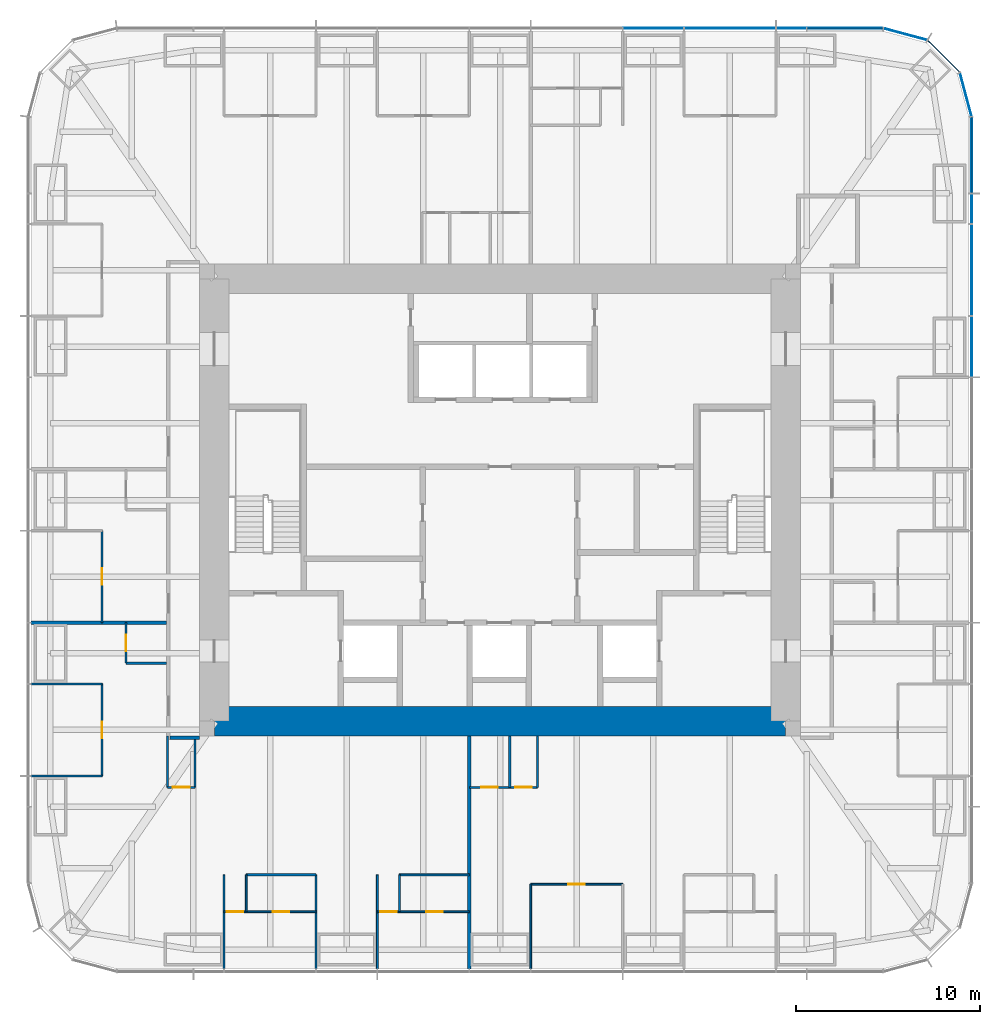
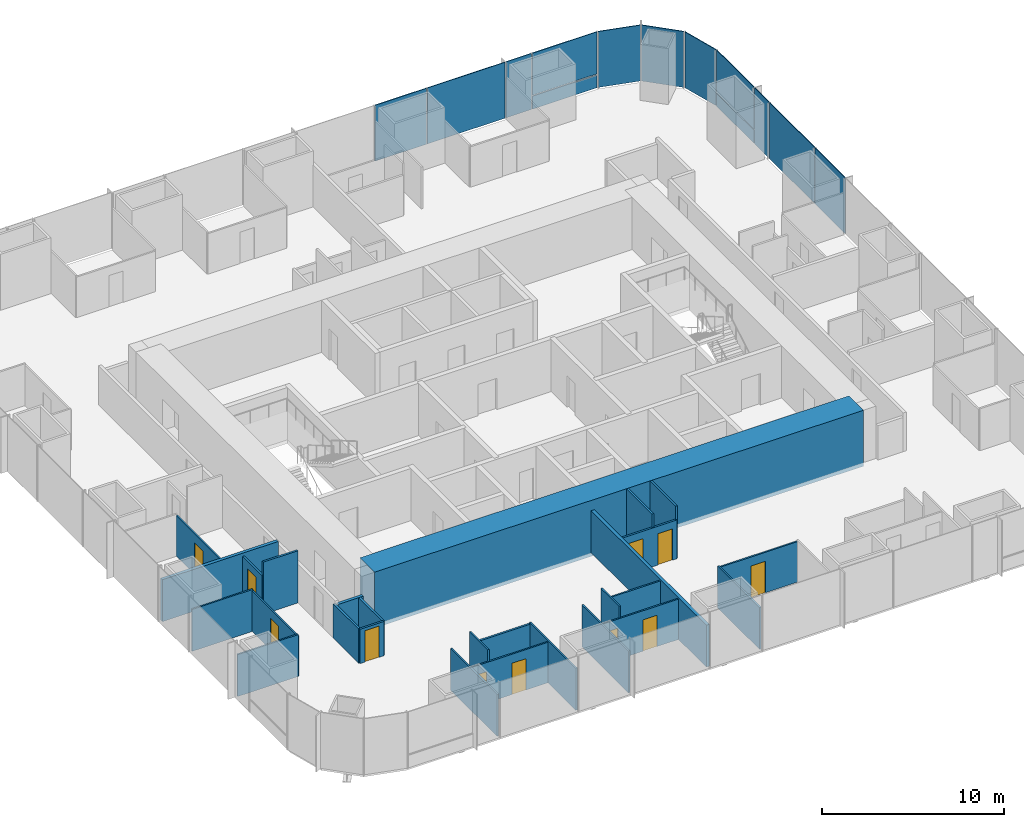
# One storey, part 8 of 13: 27 walls, 13 plates, 11 doors, 11 openings, 3 elements without a shape of their own.
"""IFC4 building model written with IfcOpenShell, lengths in metres."""

from ifc_helpers import new_model, si_unit, direction, frame, frame_2d, origin, origin_2d, place, context, subcontext, project, spatial, rectangle, extrude, material, layer, layer_set, type_object, element, fill, aggregate, save


model = new_model("IFC4")

# Units and contexts
model_context = context("Model", 3, precision=1e-05, world=origin(), true_north=direction((0.0, 1.0)))
body_context = subcontext(model_context, "Body", "Model", "MODEL_VIEW")
ifc_project = project(units=[si_unit("LENGTHUNIT", "METRE"), si_unit("AREAUNIT", "SQUARE_METRE"), si_unit("VOLUMEUNIT", "CUBIC_METRE"), si_unit("PLANEANGLEUNIT", "RADIAN"), si_unit("MASSUNIT", "GRAM", prefix="KILO")], contexts=[model_context])

# Site, building, storey
site_placement = place(None, origin())
site = spatial("IfcSite", under=ifc_project, at=site_placement, CompositionType="ELEMENT")
building_placement = place(site_placement, origin())
building = spatial("IfcBuilding", under=site, at=building_placement, Name="Khuree Lantern Residences", CompositionType="ELEMENT")
storey_placement = place(building_placement, frame((0.0, 0.0, 270.75)))
storey = spatial("IfcBuildingStorey", under=building, at=storey_placement, Name="L68", CompositionType="ELEMENT", Elevation=270.75)

# Curtain wall, plates
ifc_material_1 = material(Name="Bronze anodised aluminium", Category="aluminium")
curtain_wall_type_1 = type_object("IfcCurtainWallType", Name="CW-T2 TOWER CORNER CURTAIN WALL", PredefinedType="USERDEFINED", material=ifc_material_1)
curtain_wall_1_placement = place(storey_placement, origin())
curtain_wall_1 = element("IfcCurtainWall", 1, at=curtain_wall_1_placement, inside=storey, type_object=curtain_wall_type_1, Name="L68 NORTH-EAST CORNER CURTAIN WALL", ObjectType="Faceted corner curtain wall", PredefinedType="USERDEFINED")
ifc_material_2 = material(Name="Bronze tinted triple glazing", Category="glass")
ifc_layer_1 = layer(ifc_material_2, 0.048095703125)
ifc_layer_set_1 = layer_set([ifc_layer_1], Name="FACET PANEL P4")
plate_type_1 = type_object("IfcPlateType", Name="FACET PANEL P4", PredefinedType="CURTAIN_PANEL", material=ifc_layer_set_1)
plate_1_placement = place(storey_placement, frame((25.279052734375, 21.998046875, 0.0), z_axis=(0.0, 0.0, 1.0), x_axis=(-0.258819021888, 0.965925832509, 0.0)))
plate_1 = element("IfcPlate", 2, at=plate_1_placement, type_object=plate_type_1, Name="L68 NORTH-EAST CORNER PANEL 15.1", PredefinedType="CURTAIN_PANEL", context=body_context, shape_type="SweptSolid", body=[
    extrude(rectangle(XDim=2.40869140625, YDim=0.048095703125, at=origin_2d()), origin(), (0.0, 0.0, 1.0), 3.75),
])
plate_2_placement = place(storey_placement, frame((24.078369140625, 24.078369140625, 0.0), z_axis=(0.0, 0.0, 1.0), x_axis=(-0.707106781187, 0.707106781187, 0.0)))
plate_2 = element("IfcPlate", 3, at=plate_2_placement, type_object=plate_type_1, Name="L68 NORTH-EAST CORNER PANEL 16.1", PredefinedType="CURTAIN_PANEL", context=body_context, shape_type="SweptSolid", body=[
    extrude(rectangle(XDim=2.404541015625, YDim=0.048095703125, at=origin_2d()), origin(), (0.0, 0.0, 1.0), 3.75),
])
plate_3_placement = place(storey_placement, frame((21.998046875, 25.279052734375, 0.0), z_axis=(0.0, 0.0, 1.0), x_axis=(-0.965925832509, 0.258819021888, 0.0)))
plate_3 = element("IfcPlate", 4, at=plate_3_placement, type_object=plate_type_1, Name="L68 NORTH-EAST CORNER PANEL 17.1", PredefinedType="CURTAIN_PANEL", context=body_context, shape_type="SweptSolid", body=[
    extrude(rectangle(XDim=2.40869140625, YDim=0.048095703125, at=origin_2d()), origin(), (0.0, 0.0, 1.0), 3.75),
])
aggregate(curtain_wall_1, [plate_1, plate_2, plate_3])

# Curtain wall, plate
curtain_wall_type_2 = type_object("IfcCurtainWallType", Name="CW-T1 TOWER FACE CURTAIN WALL", PredefinedType="USERDEFINED", material=ifc_material_1)
curtain_wall_2_placement = place(storey_placement, origin())
curtain_wall_2 = element("IfcCurtainWall", 5, at=curtain_wall_2_placement, inside=storey, type_object=curtain_wall_type_2, Name="L68 EAST FACE CURTAIN WALL", ObjectType="Stick-built curtain wall", PredefinedType="USERDEFINED")
ifc_material_3 = material(Name="Bronze tinted triple glazing with a ceramic-fritted spandrel band", Category="glass")
ifc_layer_2 = layer(ifc_material_3, 0.048095703125)
ifc_layer_set_2 = layer_set([ifc_layer_2], Name="FIXED LIGHT PANEL P11")
plate_type_2 = type_object("IfcPlateType", Name="FIXED LIGHT PANEL P11", PredefinedType="CURTAIN_PANEL", material=ifc_layer_set_2)
plate_4_placement = place(storey_placement, frame((25.60009765625, 12.47998046875, 0.0), z_axis=(0.0, 0.0, 1.0), x_axis=(0.0, 1.0, 0.0)))
plate_4 = element("IfcPlate", 6, at=plate_4_placement, type_object=plate_type_2, Name="L68 EAST FACE PANEL 12.1", PredefinedType="CURTAIN_PANEL", context=body_context, shape_type="SweptSolid", body=[
    extrude(rectangle(XDim=4.927001953125, YDim=0.048095703125, at=origin_2d()), origin(), (0.0, 0.0, 1.0), 3.75),
])

curtain_wall_3_placement = place(storey_placement, origin())
curtain_wall_3 = element("IfcCurtainWall", 7, at=curtain_wall_3_placement, inside=storey, type_object=curtain_wall_type_2, Name="L68 NORTH FACE CURTAIN WALL", ObjectType="Stick-built curtain wall", PredefinedType="USERDEFINED")
plate_5_placement = place(storey_placement, frame((12.47998046875, 25.60009765625, 0.0), z_axis=(0.0, 0.0, 1.0), x_axis=(-1.0, 0.0, 0.0)))
plate_5 = element("IfcPlate", 8, at=plate_5_placement, type_object=plate_type_2, Name="L68 NORTH FACE PANEL 20.1", PredefinedType="CURTAIN_PANEL", context=body_context, shape_type="SweptSolid", body=[
    extrude(rectangle(XDim=4.927001953125, YDim=0.048095703125, at=origin_2d()), origin(), (0.0, 0.0, 1.0), 3.75),
])

# Plate
ifc_material_4 = material(Name="Bronze tinted triple glazing, two aluminium-framed sashes in one frame", Category="aluminium")
ifc_layer_3 = layer(ifc_material_4, 0.048095703125)
ifc_layer_set_3 = layer_set([ifc_layer_3], Name="SASH PAIR PANEL P12")
plate_type_3 = type_object("IfcPlateType", Name="SASH PAIR PANEL P12", PredefinedType="CURTAIN_PANEL", material=ifc_layer_set_3)
plate_6_placement = place(storey_placement, frame((25.60009765625, 8.320068359375, 0.0), z_axis=(0.0, 0.0, 1.0), x_axis=(0.0, 1.0, 0.0)))
plate_6 = element("IfcPlate", 9, at=plate_6_placement, type_object=plate_type_3, Name="L68 EAST FACE PANEL 11.1", PredefinedType="CURTAIN_PANEL", context=body_context, shape_type="SweptSolid", body=[
    extrude(rectangle(XDim=3.262939453125, YDim=0.048095703125, at=origin_2d()), origin(), (0.0, 0.0, 1.0), 3.75),
])

plate_7_placement = place(storey_placement, frame((8.320068359375, 25.60009765625, 0.0), z_axis=(0.0, 0.0, 1.0), x_axis=(-1.0, 0.0, 0.0)))
plate_7 = element("IfcPlate", 10, at=plate_7_placement, type_object=plate_type_3, Name="L68 NORTH FACE PANEL 21.1", PredefinedType="CURTAIN_PANEL", context=body_context, shape_type="SweptSolid", body=[
    extrude(rectangle(XDim=3.262939453125, YDim=0.048095703125, at=origin_2d()), origin(), (0.0, 0.0, 1.0), 3.75),
])

ifc_material_5 = material(Name="Bronze tinted triple glazing, aluminium-framed sash", Category="aluminium")
ifc_layer_4 = layer(ifc_material_5, 0.048095703125)
ifc_layer_set_4 = layer_set([ifc_layer_4], Name="SASH PANEL P3")
plate_type_4 = type_object("IfcPlateType", Name="SASH PANEL P3", PredefinedType="CURTAIN_PANEL", material=ifc_layer_set_4)
plate_8_placement = place(storey_placement, frame((25.60009765625, 15.80810546875, 0.0), z_axis=(0.0, 0.0, 1.0), x_axis=(0.0, 1.0, 0.0)))
plate_8 = element("IfcPlate", 11, at=plate_8_placement, type_object=plate_type_4, Name="L68 EAST FACE PANEL 13.1", PredefinedType="CURTAIN_PANEL", context=body_context, shape_type="SweptSolid", body=[
    extrude(rectangle(XDim=1.59912109375, YDim=0.048095703125, at=origin_2d()), origin(), (0.0, 0.0, 1.0), 3.75),
])

plate_9_placement = place(storey_placement, frame((15.80810546875, 25.60009765625, 0.0), z_axis=(0.0, 0.0, 1.0), x_axis=(-1.0, 0.0, 0.0)))
plate_9 = element("IfcPlate", 12, at=plate_9_placement, type_object=plate_type_4, Name="L68 NORTH FACE PANEL 19.1", PredefinedType="CURTAIN_PANEL", context=body_context, shape_type="SweptSolid", body=[
    extrude(rectangle(XDim=1.59912109375, YDim=0.048095703125, at=origin_2d()), origin(), (0.0, 0.0, 1.0), 3.75),
])

ifc_material_6 = material(Name="Bronze anodised aluminium insulated spandrel", Category="aluminium")
ifc_layer_5 = layer(ifc_material_6, 0.06005859375)
ifc_layer_set_5 = layer_set([ifc_layer_5], Name="SPANDREL PANEL P2")
plate_type_5 = type_object("IfcPlateType", Name="SPANDREL PANEL P2", PredefinedType="CURTAIN_PANEL", material=ifc_layer_set_5)
plate_10_placement = place(storey_placement, frame((25.60009765625, 18.7177734375, 0.0), z_axis=(0.0, 0.0, 1.0), x_axis=(0.0, 1.0, 0.0)))
plate_10 = element("IfcPlate", 13, at=plate_10_placement, type_object=plate_type_5, Name="L68 EAST FACE PANEL 14.1", PredefinedType="CURTAIN_PANEL", context=body_context, shape_type="SweptSolid", body=[
    extrude(rectangle(XDim=4.0908203125, YDim=0.06005859375, at=origin_2d()), origin(), (0.0, 0.0, 1.0), 0.867431640625),
])

plate_11_placement = place(storey_placement, frame((18.7177734375, 25.60009765625, 0.0), z_axis=(0.0, 0.0, 1.0), x_axis=(-1.0, 0.0, 0.0)))
plate_11 = element("IfcPlate", 14, at=plate_11_placement, type_object=plate_type_5, Name="L68 NORTH FACE PANEL 18.1", PredefinedType="CURTAIN_PANEL", context=body_context, shape_type="SweptSolid", body=[
    extrude(rectangle(XDim=4.0908203125, YDim=0.06005859375, at=origin_2d()), origin(), (0.0, 0.0, 1.0), 0.867431640625),
])

ifc_layer_6 = layer(ifc_material_2, 0.048095703125)
ifc_layer_set_6 = layer_set([ifc_layer_6], Name="VISION PANEL P1")
plate_type_6 = type_object("IfcPlateType", Name="VISION PANEL P1", PredefinedType="CURTAIN_PANEL", material=ifc_layer_set_6)
plate_12_placement = place(storey_placement, frame((25.60009765625, 18.71826171875, 0.9326171875), z_axis=(0.0, 0.0, 1.0), x_axis=(0.0, 1.0, 0.0)))
plate_12 = element("IfcPlate", 15, at=plate_12_placement, type_object=plate_type_6, Name="L68 EAST FACE PANEL 14.2", PredefinedType="CURTAIN_PANEL", context=body_context, shape_type="SweptSolid", body=[
    extrude(rectangle(XDim=4.091552734375, YDim=0.048095703125, at=origin_2d()), origin(), (0.0, 0.0, 1.0), 2.8173828125),
])

aggregate(curtain_wall_2, [plate_6, plate_4, plate_8, plate_10, plate_12])

plate_13_placement = place(storey_placement, frame((18.71826171875, 25.60009765625, 0.9326171875), z_axis=(0.0, 0.0, 1.0), x_axis=(-1.0, 0.0, 0.0)))
plate_13 = element("IfcPlate", 16, at=plate_13_placement, type_object=plate_type_6, Name="L68 NORTH FACE PANEL 18.2", PredefinedType="CURTAIN_PANEL", context=body_context, shape_type="SweptSolid", body=[
    extrude(rectangle(XDim=4.091552734375, YDim=0.048095703125, at=origin_2d()), origin(), (0.0, 0.0, 1.0), 2.8173828125),
])

aggregate(curtain_wall_3, [plate_11, plate_13, plate_9, plate_5, plate_7])

# Wall
ifc_material_7 = material(Name="Moisture-resistant gypsum board on steel studs", Category="steel")
ifc_layer_7 = layer(ifc_material_7, 0.125)
ifc_layer_set_7 = layer_set([ifc_layer_7], Name="BATHROOM WALL BTW125")
wall_type_1 = type_object("IfcWallType", Name="BATHROOM WALL BTW125", PredefinedType="PARTITIONING", material=ifc_layer_set_7)
wall_1_placement = place(storey_placement, frame((-13.77587890625, -20.344970703125, 0.0), z_axis=(0.0, 0.0, 1.0), x_axis=(1.0, 0.0, 0.0)))
element("IfcWall", 17, at=wall_1_placement, inside=storey, type_object=wall_type_1, Name="L68 BATHROOM WALL 05", PredefinedType="PARTITIONING", context=body_context, shape_type="SweptSolid", body=[
    extrude(rectangle(XDim=3.7919921875, YDim=0.125, at=frame_2d((1.89599609375, 0.0))), origin(), (0.0, 0.0, 1.0), 2.7099609375),
])

# Wall, opening, door
wall_2_placement = place(storey_placement, frame((-20.300048828125, -6.656005859375, 0.0), z_axis=(0.0, 0.0, 1.0), x_axis=(0.0, -1.0, 0.0)))
wall_2 = element("IfcWall", 18, at=wall_2_placement, inside=storey, type_object=wall_type_1, Name="L68 BATHROOM WALL 05", PredefinedType="PARTITIONING", context=body_context, shape_type="SweptSolid", body=[
    extrude(rectangle(XDim=2.199951171875, YDim=0.125, at=frame_2d((1.10009765625, 0.0))), origin(), (0.0, 0.0, 1.0), 2.60009765625),
])
opening_1_placement = place(wall_2_placement, frame((0.64990234375, 0.0, 0.0)))
opening_1 = element("IfcOpeningElement", 19, at=opening_1_placement, cuts=wall_2, Name="Opening 68-048", PredefinedType="OPENING", context=body_context, shape_type="SweptSolid", body=[
    extrude(rectangle(XDim=0.89990234375, YDim=2.10009765625, at=frame_2d((0.449951171875, 1.050048828125))), frame((0.0, 0.072509765625, 0.0), z_axis=(0.0, -1.0, 0.0), x_axis=(1.0, 0.0, 0.0)), (0.0, 0.0, 1.0), 0.14501953125),
])
ifc_material_8 = material(Name="Timber door leaf in hardwood frame", Category="wood")
door_type_1 = type_object("IfcDoorType", Name="BATHROOM DOOR 900X2100", OperationType="SINGLE_SWING_LEFT", PredefinedType="DOOR", material=ifc_material_8)
door_1_placement = place(opening_1_placement, origin())
door_1 = element("IfcDoor", 20, at=door_1_placement, inside=storey, type_object=door_type_1, Name="Bathroom door 68-048", OperationType="SINGLE_SWING_LEFT", OverallHeight=2.10009765625, OverallWidth=0.89990234375, PredefinedType="DOOR", context=body_context, shape_type="SweptSolid", body=[
    extrude(rectangle(XDim=0.89990234375, YDim=2.10009765625, at=frame_2d((0.449951171875, 1.050048828125))), frame((0.0, 0.02490234375, 0.0), z_axis=(0.0, -1.0, 0.0), x_axis=(1.0, 0.0, 0.0)), (0.0, 0.0, 1.0), 0.050048828125),
])
fill(opening_1, door_1)

# Wall
wall_3_placement = place(storey_placement, frame((-18.10009765625, -8.85595703125, 0.0), z_axis=(0.0, 0.0, 1.0), x_axis=(-1.0, 0.0, 0.0)))
element("IfcWall", 21, at=wall_3_placement, inside=storey, type_object=wall_type_1, Name="L68 BATHROOM WALL 05", PredefinedType="PARTITIONING", context=body_context, shape_type="SweptSolid", body=[
    extrude(rectangle(XDim=2.199951171875, YDim=0.125, at=frame_2d((1.10009765625, 0.0))), origin(), (0.0, 0.0, 1.0), 3.5),
])

# Wall, opening, door
wall_4_placement = place(storey_placement, frame((-18.050048828125, -15.60009765625, 0.0), z_axis=(0.0, 0.0, 1.0), x_axis=(1.0, 0.0, 0.0)))
wall_4 = element("IfcWall", 22, at=wall_4_placement, inside=storey, type_object=wall_type_1, Name="L68 BATHROOM WALL 05", PredefinedType="PARTITIONING", context=body_context, shape_type="SweptSolid", body=[
    extrude(rectangle(XDim=1.5, YDim=0.125, at=frame_2d((0.75, 0.0))), origin(), (0.0, 0.0, 1.0), 2.300048828125),
])
opening_2_placement = place(wall_4_placement, frame((0.300048828125, 0.0, 0.0)))
opening_2 = element("IfcOpeningElement", 23, at=opening_2_placement, cuts=wall_4, Name="Opening 68-049", PredefinedType="OPENING", context=body_context, shape_type="SweptSolid", body=[
    extrude(rectangle(XDim=0.89990234375, YDim=2.10009765625, at=frame_2d((0.449951171875, 1.050048828125))), frame((0.0, 0.072509765625, 0.0), z_axis=(0.0, -1.0, 0.0), x_axis=(1.0, 0.0, 0.0)), (0.0, 0.0, 1.0), 0.14501953125),
])
door_type_2 = type_object("IfcDoorType", Name="WC DOOR 900X2100", OperationType="SINGLE_SWING_LEFT", PredefinedType="DOOR", material=ifc_material_8)
door_2_placement = place(opening_2_placement, origin())
door_2 = element("IfcDoor", 24, at=door_2_placement, inside=storey, type_object=door_type_2, Name="WC door 68-049", OperationType="SINGLE_SWING_LEFT", OverallHeight=2.10009765625, OverallWidth=0.89990234375, PredefinedType="DOOR", context=body_context, shape_type="SweptSolid", body=[
    extrude(rectangle(XDim=0.89990234375, YDim=2.10009765625, at=frame_2d((0.449951171875, 1.050048828125))), frame((0.0, 0.02490234375, 0.0), z_axis=(0.0, -1.0, 0.0), x_axis=(1.0, 0.0, 0.0)), (0.0, 0.0, 1.0), 0.050048828125),
])
fill(opening_2, door_2)

# Walls
for number, where, z_axis, x_axis, name in (
    (25, (-18.050048828125, -12.800048828125, 0.0), (0.0, 0.0, 1.0), (0.0, -1.0, 0.0), "L68 BATHROOM WALL 05"),
    (26, (-16.550048828125, -12.800048828125, 0.0), (0.0, 0.0, 1.0), (0.0, -1.0, 0.0), "L68 BATHROOM WALL 05"),
):
    element("IfcWall", number, at=place(storey_placement, frame(where, z_axis=z_axis, x_axis=x_axis)), inside=storey, type_object=wall_type_1, Name=name, PredefinedType="PARTITIONING", context=body_context, shape_type="SweptSolid", body=[
        extrude(rectangle(XDim=2.800048828125, YDim=0.125, at=frame_2d((1.39990234375, 0.0))), origin(), (0.0, 0.0, 1.0), 2.300048828125),
    ])

# Wall, openings, doors
wall_5_placement = place(storey_placement, frame((-1.6640625, -15.60009765625, 0.0), z_axis=(0.0, 0.0, 1.0), x_axis=(1.0, 0.0, 0.0)))
wall_5 = element("IfcWall", 27, at=wall_5_placement, inside=storey, type_object=wall_type_1, Name="L68 BATHROOM WALL 06", PredefinedType="PARTITIONING", context=body_context, shape_type="SweptSolid", body=[
    extrude(rectangle(XDim=3.699951171875, YDim=0.125, at=frame_2d((1.85009765625, 0.0))), origin(), (0.0, 0.0, 1.0), 2.60009765625),
])
opening_3_placement = place(wall_5_placement, frame((0.64990234375, 0.0, 0.0)))
opening_3 = element("IfcOpeningElement", 28, at=opening_3_placement, cuts=wall_5, Name="Opening 68-055", PredefinedType="OPENING", context=body_context, shape_type="SweptSolid", body=[
    extrude(rectangle(XDim=0.89990234375, YDim=2.10009765625, at=frame_2d((0.449951171875, 1.050048828125))), frame((0.0, 0.072509765625, 0.0), z_axis=(0.0, -1.0, 0.0), x_axis=(1.0, 0.0, 0.0)), (0.0, 0.0, 1.0), 0.14501953125),
])
opening_4_placement = place(wall_5_placement, frame((2.5, 0.0, 0.0)))
opening_4 = element("IfcOpeningElement", 29, at=opening_4_placement, cuts=wall_5, Name="Opening 68-056", PredefinedType="OPENING", context=body_context, shape_type="SweptSolid", body=[
    extrude(rectangle(XDim=0.89990234375, YDim=2.10009765625, at=frame_2d((0.449951171875, 1.050048828125))), frame((0.0, 0.072509765625, 0.0), z_axis=(0.0, -1.0, 0.0), x_axis=(1.0, 0.0, 0.0)), (0.0, 0.0, 1.0), 0.14501953125),
])
door_3_placement = place(opening_3_placement, origin())
door_3 = element("IfcDoor", 30, at=door_3_placement, inside=storey, type_object=door_type_1, Name="Bathroom door 68-055", OperationType="SINGLE_SWING_LEFT", OverallHeight=2.10009765625, OverallWidth=0.89990234375, PredefinedType="DOOR", context=body_context, shape_type="SweptSolid", body=[
    extrude(rectangle(XDim=0.89990234375, YDim=2.10009765625, at=frame_2d((0.449951171875, 1.050048828125))), frame((0.0, 0.02490234375, 0.0), z_axis=(0.0, -1.0, 0.0), x_axis=(1.0, 0.0, 0.0)), (0.0, 0.0, 1.0), 0.050048828125),
])
fill(opening_3, door_3)
door_4_placement = place(opening_4_placement, origin())
door_4 = element("IfcDoor", 31, at=door_4_placement, inside=storey, type_object=door_type_2, Name="WC door 68-056", OperationType="SINGLE_SWING_LEFT", OverallHeight=2.10009765625, OverallWidth=0.89990234375, PredefinedType="DOOR", context=body_context, shape_type="SweptSolid", body=[
    extrude(rectangle(XDim=0.89990234375, YDim=2.10009765625, at=frame_2d((0.449951171875, 1.050048828125))), frame((0.0, 0.02490234375, 0.0), z_axis=(0.0, -1.0, 0.0), x_axis=(1.0, 0.0, 0.0)), (0.0, 0.0, 1.0), 0.050048828125),
])
fill(opening_4, door_4)

# Walls
for number, where, z_axis, x_axis, name in (
    (32, (0.535888671875, -12.800048828125, 0.0), (0.0, 0.0, 1.0), (0.0, -1.0, 0.0), "L68 BATHROOM WALL 06"),
    (33, (2.035888671875, -12.800048828125, 0.0), (0.0, 0.0, 1.0), (0.0, -1.0, 0.0), "L68 BATHROOM WALL 06"),
):
    element("IfcWall", number, at=place(storey_placement, frame(where, z_axis=z_axis, x_axis=x_axis)), inside=storey, type_object=wall_type_1, Name=name, PredefinedType="PARTITIONING", context=body_context, shape_type="SweptSolid", body=[
        extrude(rectangle(XDim=2.800048828125, YDim=0.125, at=frame_2d((1.39990234375, 0.0))), origin(), (0.0, 0.0, 1.0), 3.5),
    ])
ifc_material_9 = material(Name="Gypsum board on steel studs", Category="steel")
ifc_layer_8 = layer(ifc_material_9, 0.199951171875)
ifc_layer_set_8 = layer_set([ifc_layer_8], Name="CORRIDOR WALL CRW200 EI 60")
wall_type_2 = type_object("IfcWallType", Name="CORRIDOR WALL CRW200 EI 60", PredefinedType="PARTITIONING", material=ifc_layer_set_8)
wall_6_placement = place(storey_placement, frame((-16.300048828125, -12.89990234375, 0.0), z_axis=(0.0, 0.0, 1.0), x_axis=(-1.0, 0.0, 0.0)))
element("IfcWall", 34, at=wall_6_placement, inside=storey, type_object=wall_type_2, Name="L68 WEST CORRIDOR SOUTH END WALL", PredefinedType="PARTITIONING", context=body_context, shape_type="SweptSolid", body=[
    extrude(rectangle(XDim=1.599853515625, YDim=0.199951171875, at=frame_2d((0.7998046875, 0.0))), origin(), (0.0, 0.0, 1.0), 2.300048828125),
])
ifc_material_10 = material(Name="Concrete C50/60", Category="concrete")
ifc_layer_9 = layer(ifc_material_10, 1.60009765625)
ifc_layer_set_9 = layer_set([ifc_layer_9], Name="CW1600-C50 CORE WALL C50 1600")
wall_type_3 = type_object("IfcWallType", Name="CW1600-C50 CORE WALL C50 1600", PredefinedType="SHEAR", material=ifc_layer_set_9)
wall_7_placement = place(storey_placement, frame((-15.5, -12.0, -0.25), z_axis=(0.0, 0.0, 1.0), x_axis=(1.0, 0.0, 0.0)))
element("IfcWall", 35, at=wall_7_placement, inside=storey, type_object=wall_type_3, Name="Core wall S", PredefinedType="SHEAR", context=body_context, shape_type="SweptSolid", body=[
    extrude(rectangle(XDim=31.0, YDim=1.60009765625, at=frame_2d((15.5, 0.0))), origin(), (0.0, 0.0, 1.0), 3.75),
])
ifc_layer_10 = layer(ifc_material_9, 0.199951171875)
ifc_layer_set_10 = layer_set([ifc_layer_10], Name="DEMISING WALL DMW200 EI 90")
wall_type_4 = type_object("IfcWallType", Name="DEMISING WALL DMW200 EI 90", PredefinedType="PARTITIONING", material=ifc_layer_set_10)
wall_8_placement = place(storey_placement, frame((-18.10009765625, -6.656005859375, 0.0), z_axis=(0.0, 0.0, 1.0), x_axis=(-1.0, 0.0, 0.0)))
element("IfcWall", 36, at=wall_8_placement, inside=storey, type_object=wall_type_4, Name="L68 DEMISING WALL 05", PredefinedType="PARTITIONING", context=body_context, shape_type="SweptSolid", body=[
    extrude(rectangle(XDim=7.349853515625, YDim=0.199951171875, at=frame_2d((3.6748046875, 0.0))), origin(), (0.0, 0.0, 1.0), 2.81005859375),
])
wall_9_placement = place(storey_placement, frame((-1.6640625, -12.800048828125, 0.0), z_axis=(0.0, 0.0, 1.0), x_axis=(0.0, -1.0, 0.0)))
element("IfcWall", 37, at=wall_9_placement, inside=storey, type_object=wall_type_4, Name="L68 DEMISING WALL 06", PredefinedType="PARTITIONING", context=body_context, shape_type="SweptSolid", body=[
    extrude(rectangle(XDim=12.64990234375, YDim=0.199951171875, at=frame_2d((6.324951171875, 0.0))), origin(), (0.0, 0.0, 1.0), 2.81005859375),
])
ifc_layer_11 = layer(ifc_material_9, 0.10009765625)
ifc_layer_set_11 = layer_set([ifc_layer_11], Name="PARTITION PT100")
wall_type_5 = type_object("IfcWallType", Name="PARTITION PT100", PredefinedType="PARTITIONING", material=ifc_layer_set_11)
for number, where, z_axis, x_axis, name in (
    (38, (-21.60009765625, -9.98388671875, 0.0), (0.0, 0.0, 1.0), (-1.0, 0.0, 0.0), "L68 PARTITION 05"),
    (39, (-21.60009765625, -14.97607421875, 0.0), (0.0, 0.0, 1.0), (-1.0, 0.0, 0.0), "L68 PARTITION 05"),
):
    element("IfcWall", number, at=place(storey_placement, frame(where, z_axis=z_axis, x_axis=x_axis)), inside=storey, type_object=wall_type_5, Name=name, PredefinedType="PARTITIONING", context=body_context, shape_type="SweptSolid", body=[
        extrude(rectangle(XDim=3.849853515625, YDim=0.10009765625, at=frame_2d((1.9248046875, 0.0))), origin(), (0.0, 0.0, 1.0), 2.81005859375),
    ])
for number, where, z_axis, x_axis, name in (
    (40, (-14.97607421875, -20.344970703125, 0.0), (0.0, 0.0, 1.0), (0.0, -1.0, 0.0), "L68 PARTITION 05"),
    (41, (-9.98388671875, -20.344970703125, 0.0), (0.0, 0.0, 1.0), (0.0, -1.0, 0.0), "L68 PARTITION 05"),
    (42, (-6.656005859375, -20.344970703125, 0.0), (0.0, 0.0, 1.0), (0.0, -1.0, 0.0), "L68 PARTITION 05"),
):
    element("IfcWall", number, at=place(storey_placement, frame(where, z_axis=z_axis, x_axis=x_axis)), inside=storey, type_object=wall_type_5, Name=name, PredefinedType="PARTITIONING", context=body_context, shape_type="SweptSolid", body=[
        extrude(rectangle(XDim=5.10498046875, YDim=0.10009765625, at=frame_2d((2.552490234375, 0.0))), origin(), (0.0, 0.0, 1.0), 2.81005859375),
    ])
wall_10_placement = place(storey_placement, frame((1.6640625, -20.85009765625, 0.0), z_axis=(0.0, 0.0, 1.0), x_axis=(0.0, -1.0, 0.0)))
element("IfcWall", 43, at=wall_10_placement, inside=storey, type_object=wall_type_5, Name="L68 PARTITION 06", PredefinedType="PARTITIONING", context=body_context, shape_type="SweptSolid", body=[
    extrude(rectangle(XDim=4.599853515625, YDim=0.10009765625, at=frame_2d((2.2998046875, 0.0))), origin(), (0.0, 0.0, 1.0), 2.81005859375),
])

# Wall, opening, door
wall_11_placement = place(storey_placement, frame((-21.60009765625, -1.6640625, 0.0), z_axis=(0.0, 0.0, 1.0), x_axis=(0.0, -1.0, 0.0)))
wall_11 = element("IfcWall", 44, at=wall_11_placement, inside=storey, type_object=wall_type_5, Name="L68 PARTITION 04", PredefinedType="PARTITIONING", context=body_context, shape_type="SweptSolid", body=[
    extrude(rectangle(XDim=4.991943359375, YDim=0.10009765625, at=frame_2d((2.49609375, 0.0))), origin(), (0.0, 0.0, 1.0), 2.7099609375),
])
opening_5_placement = place(wall_11_placement, frame((2.0458984375, 0.0, 0.0)))
opening_5 = element("IfcOpeningElement", 45, at=opening_5_placement, cuts=wall_11, Name="Opening 68-040", PredefinedType="OPENING", context=body_context, shape_type="SweptSolid", body=[
    extrude(rectangle(XDim=0.89990234375, YDim=2.10009765625, at=frame_2d((0.449951171875, 1.050048828125))), frame((0.0, 0.06005859375, 0.0), z_axis=(0.0, -1.0, 0.0), x_axis=(1.0, 0.0, 0.0)), (0.0, 0.0, 1.0), 0.1201171875),
])
door_type_3 = type_object("IfcDoorType", Name="BEDROOM DOOR 900X2100 RIGHT HAND", OperationType="SINGLE_SWING_RIGHT", PredefinedType="DOOR", material=ifc_material_8)
door_5_placement = place(opening_5_placement, origin())
door_5 = element("IfcDoor", 46, at=door_5_placement, inside=storey, type_object=door_type_3, Name="Bedroom door 68-040", OperationType="SINGLE_SWING_RIGHT", OverallHeight=2.10009765625, OverallWidth=0.89990234375, PredefinedType="DOOR", context=body_context, shape_type="SweptSolid", body=[
    extrude(rectangle(XDim=0.89990234375, YDim=2.10009765625, at=frame_2d((0.449951171875, 1.050048828125))), frame((0.0, 0.02490234375, 0.0), z_axis=(0.0, -1.0, 0.0), x_axis=(1.0, 0.0, 0.0)), (0.0, 0.0, 1.0), 0.050048828125),
])
fill(opening_5, door_5)

wall_12_placement = place(storey_placement, frame((-21.60009765625, -9.98388671875, 0.0), z_axis=(0.0, 0.0, 1.0), x_axis=(0.0, -1.0, 0.0)))
wall_12 = element("IfcWall", 47, at=wall_12_placement, inside=storey, type_object=wall_type_5, Name="L68 PARTITION 05", PredefinedType="PARTITIONING", context=body_context, shape_type="SweptSolid", body=[
    extrude(rectangle(XDim=4.9921875, YDim=0.10009765625, at=frame_2d((2.49609375, 0.0))), origin(), (0.0, 0.0, 1.0), 2.7099609375),
])
opening_6_placement = place(wall_12_placement, frame((2.0458984375, 0.0, 0.0)))
opening_6 = element("IfcOpeningElement", 48, at=opening_6_placement, cuts=wall_12, Name="Opening 68-043", PredefinedType="OPENING", context=body_context, shape_type="SweptSolid", body=[
    extrude(rectangle(XDim=0.89990234375, YDim=2.10009765625, at=frame_2d((0.449951171875, 1.050048828125))), frame((0.0, 0.06005859375, 0.0), z_axis=(0.0, -1.0, 0.0), x_axis=(1.0, 0.0, 0.0)), (0.0, 0.0, 1.0), 0.1201171875),
])
door_type_4 = type_object("IfcDoorType", Name="BEDROOM DOOR 900X2100", OperationType="SINGLE_SWING_LEFT", PredefinedType="DOOR", material=ifc_material_8)
door_6_placement = place(opening_6_placement, origin())
door_6 = element("IfcDoor", 49, at=door_6_placement, inside=storey, type_object=door_type_4, Name="Bedroom door 68-043", OperationType="SINGLE_SWING_LEFT", OverallHeight=2.10009765625, OverallWidth=0.89990234375, PredefinedType="DOOR", context=body_context, shape_type="SweptSolid", body=[
    extrude(rectangle(XDim=0.89990234375, YDim=2.10009765625, at=frame_2d((0.449951171875, 1.050048828125))), frame((0.0, 0.02490234375, 0.0), z_axis=(0.0, -1.0, 0.0), x_axis=(1.0, 0.0, 0.0)), (0.0, 0.0, 1.0), 0.050048828125),
])
fill(opening_6, door_6)

# Wall, openings, doors
wall_13_placement = place(storey_placement, frame((-14.97607421875, -22.344970703125, 0.0), z_axis=(0.0, 0.0, 1.0), x_axis=(1.0, 0.0, 0.0)))
wall_13 = element("IfcWall", 50, at=wall_13_placement, inside=storey, type_object=wall_type_5, Name="L68 PARTITION 05", PredefinedType="PARTITIONING", context=body_context, shape_type="SweptSolid", body=[
    extrude(rectangle(XDim=4.9921875, YDim=0.10009765625, at=frame_2d((2.49609375, 0.0))), origin(), (0.0, 0.0, 1.0), 2.7099609375),
])
opening_7_placement = place(wall_13_placement, frame((0.14990234375, 0.0, 0.0)))
opening_7 = element("IfcOpeningElement", 51, at=opening_7_placement, cuts=wall_13, Name="Opening 68-044", PredefinedType="OPENING", context=body_context, shape_type="SweptSolid", body=[
    extrude(rectangle(XDim=0.89990234375, YDim=2.10009765625, at=frame_2d((0.449951171875, 1.050048828125))), frame((0.0, 0.06005859375, 0.0), z_axis=(0.0, -1.0, 0.0), x_axis=(1.0, 0.0, 0.0)), (0.0, 0.0, 1.0), 0.1201171875),
])
opening_8_placement = place(wall_13_placement, frame((2.64599609375, 0.0, 0.0)))
opening_8 = element("IfcOpeningElement", 52, at=opening_8_placement, cuts=wall_13, Name="Opening 68-045", PredefinedType="OPENING", context=body_context, shape_type="SweptSolid", body=[
    extrude(rectangle(XDim=0.89990234375, YDim=2.10009765625, at=frame_2d((0.449951171875, 1.050048828125))), frame((0.0, 0.06005859375, 0.0), z_axis=(0.0, -1.0, 0.0), x_axis=(1.0, 0.0, 0.0)), (0.0, 0.0, 1.0), 0.1201171875),
])
door_7_placement = place(opening_8_placement, origin())
door_7 = element("IfcDoor", 53, at=door_7_placement, inside=storey, type_object=door_type_1, Name="Bathroom door 68-045", OperationType="SINGLE_SWING_LEFT", OverallHeight=2.10009765625, OverallWidth=0.89990234375, PredefinedType="DOOR", context=body_context, shape_type="SweptSolid", body=[
    extrude(rectangle(XDim=0.89990234375, YDim=2.10009765625, at=frame_2d((0.449951171875, 1.050048828125))), frame((0.0, 0.02490234375, 0.0), z_axis=(0.0, -1.0, 0.0), x_axis=(1.0, 0.0, 0.0)), (0.0, 0.0, 1.0), 0.050048828125),
])
fill(opening_8, door_7)
door_8_placement = place(opening_7_placement, origin())
door_8 = element("IfcDoor", 54, at=door_8_placement, inside=storey, type_object=door_type_4, Name="Bedroom door 68-044", OperationType="SINGLE_SWING_LEFT", OverallHeight=2.10009765625, OverallWidth=0.89990234375, PredefinedType="DOOR", context=body_context, shape_type="SweptSolid", body=[
    extrude(rectangle(XDim=0.89990234375, YDim=2.10009765625, at=frame_2d((0.449951171875, 1.050048828125))), frame((0.0, 0.02490234375, 0.0), z_axis=(0.0, -1.0, 0.0), x_axis=(1.0, 0.0, 0.0)), (0.0, 0.0, 1.0), 0.050048828125),
])
fill(opening_7, door_8)

# Wall
wall_14_placement = place(storey_placement, frame((-13.77587890625, -20.344970703125, 0.0), z_axis=(0.0, 0.0, 1.0), x_axis=(0.0, -1.0, 0.0)))
element("IfcWall", 55, at=wall_14_placement, inside=storey, type_object=wall_type_5, Name="L68 PARTITION 05", PredefinedType="PARTITIONING", context=body_context, shape_type="SweptSolid", body=[
    extrude(rectangle(XDim=2.0, YDim=0.10009765625, at=frame_2d((1.0, 0.0))), origin(), (0.0, 0.0, 1.0), 3.5),
])

# Wall, openings, doors
wall_15_placement = place(storey_placement, frame((-6.656005859375, -22.344970703125, 0.0), z_axis=(0.0, 0.0, 1.0), x_axis=(1.0, 0.0, 0.0)))
wall_15 = element("IfcWall", 56, at=wall_15_placement, inside=storey, type_object=wall_type_5, Name="L68 PARTITION 05", PredefinedType="PARTITIONING", context=body_context, shape_type="SweptSolid", body=[
    extrude(rectangle(XDim=4.991943359375, YDim=0.10009765625, at=frame_2d((2.49609375, 0.0))), origin(), (0.0, 0.0, 1.0), 2.7099609375),
])
opening_9_placement = place(wall_15_placement, frame((0.14990234375, 0.0, 0.0)))
opening_9 = element("IfcOpeningElement", 57, at=opening_9_placement, cuts=wall_15, Name="Opening 68-046", PredefinedType="OPENING", context=body_context, shape_type="SweptSolid", body=[
    extrude(rectangle(XDim=0.89990234375, YDim=2.10009765625, at=frame_2d((0.449951171875, 1.050048828125))), frame((0.0, 0.06005859375, 0.0), z_axis=(0.0, -1.0, 0.0), x_axis=(1.0, 0.0, 0.0)), (0.0, 0.0, 1.0), 0.1201171875),
])
opening_10_placement = place(wall_15_placement, frame((2.64599609375, 0.0, 0.0)))
opening_10 = element("IfcOpeningElement", 58, at=opening_10_placement, cuts=wall_15, Name="Opening 68-047", PredefinedType="OPENING", context=body_context, shape_type="SweptSolid", body=[
    extrude(rectangle(XDim=0.89990234375, YDim=2.10009765625, at=frame_2d((0.449951171875, 1.050048828125))), frame((0.0, 0.06005859375, 0.0), z_axis=(0.0, -1.0, 0.0), x_axis=(1.0, 0.0, 0.0)), (0.0, 0.0, 1.0), 0.1201171875),
])
door_9_placement = place(opening_9_placement, origin())
door_9 = element("IfcDoor", 59, at=door_9_placement, inside=storey, type_object=door_type_4, Name="Bedroom door 68-046", OperationType="SINGLE_SWING_LEFT", OverallHeight=2.10009765625, OverallWidth=0.89990234375, PredefinedType="DOOR", context=body_context, shape_type="SweptSolid", body=[
    extrude(rectangle(XDim=0.89990234375, YDim=2.10009765625, at=frame_2d((0.449951171875, 1.050048828125))), frame((0.0, 0.02490234375, 0.0), z_axis=(0.0, -1.0, 0.0), x_axis=(1.0, 0.0, 0.0)), (0.0, 0.0, 1.0), 0.050048828125),
])
fill(opening_9, door_9)
door_type_5 = type_object("IfcDoorType", Name="DOOR 900X2100 RIGHT HAND", OperationType="SINGLE_SWING_RIGHT", PredefinedType="DOOR", material=ifc_material_8)
door_10_placement = place(opening_10_placement, origin())
door_10 = element("IfcDoor", 60, at=door_10_placement, inside=storey, type_object=door_type_5, Name="Wardrobe door 68-047", OperationType="SINGLE_SWING_RIGHT", OverallHeight=2.10009765625, OverallWidth=0.89990234375, PredefinedType="DOOR", context=body_context, shape_type="SweptSolid", body=[
    extrude(rectangle(XDim=0.89990234375, YDim=2.10009765625, at=frame_2d((0.449951171875, 1.050048828125))), frame((0.0, 0.02490234375, 0.0), z_axis=(0.0, -1.0, 0.0), x_axis=(1.0, 0.0, 0.0)), (0.0, 0.0, 1.0), 0.050048828125),
])
fill(opening_10, door_10)

# Walls
wall_16_placement = place(storey_placement, frame((-5.4560546875, -20.344970703125, 0.0), z_axis=(0.0, 0.0, 1.0), x_axis=(0.0, -1.0, 0.0)))
element("IfcWall", 61, at=wall_16_placement, inside=storey, type_object=wall_type_5, Name="L68 PARTITION 05", PredefinedType="PARTITIONING", context=body_context, shape_type="SweptSolid", body=[
    extrude(rectangle(XDim=2.0, YDim=0.10009765625, at=frame_2d((1.0, 0.0))), origin(), (0.0, 0.0, 1.0), 3.5),
])
wall_17_placement = place(storey_placement, frame((-5.4560546875, -20.344970703125, 0.0), z_axis=(0.0, 0.0, 1.0), x_axis=(1.0, 0.0, 0.0)))
element("IfcWall", 62, at=wall_17_placement, inside=storey, type_object=wall_type_5, Name="L68 PARTITION 05", PredefinedType="PARTITIONING", context=body_context, shape_type="SweptSolid", body=[
    extrude(rectangle(XDim=3.7919921875, YDim=0.10009765625, at=frame_2d((1.89599609375, 0.0))), origin(), (0.0, 0.0, 1.0), 2.7099609375),
])

# Wall, opening, door
wall_18_placement = place(storey_placement, frame((1.6640625, -20.85009765625, 0.0), z_axis=(0.0, 0.0, 1.0), x_axis=(1.0, 0.0, 0.0)))
wall_18 = element("IfcWall", 63, at=wall_18_placement, inside=storey, type_object=wall_type_5, Name="L68 PARTITION 06", PredefinedType="PARTITIONING", context=body_context, shape_type="SweptSolid", body=[
    extrude(rectangle(XDim=4.991943359375, YDim=0.10009765625, at=frame_2d((2.49609375, 0.0))), origin(), (0.0, 0.0, 1.0), 2.7099609375),
])
opening_11_placement = place(wall_18_placement, frame((2.0458984375, 0.0, 0.0)))
opening_11 = element("IfcOpeningElement", 64, at=opening_11_placement, cuts=wall_18, Name="Opening 68-051", PredefinedType="OPENING", context=body_context, shape_type="SweptSolid", body=[
    extrude(rectangle(XDim=0.89990234375, YDim=2.10009765625, at=frame_2d((0.449951171875, 1.050048828125))), frame((0.0, 0.06005859375, 0.0), z_axis=(0.0, -1.0, 0.0), x_axis=(1.0, 0.0, 0.0)), (0.0, 0.0, 1.0), 0.1201171875),
])
door_11_placement = place(opening_11_placement, origin())
door_11 = element("IfcDoor", 65, at=door_11_placement, inside=storey, type_object=door_type_4, Name="Bedroom door 68-051", OperationType="SINGLE_SWING_LEFT", OverallHeight=2.10009765625, OverallWidth=0.89990234375, PredefinedType="DOOR", context=body_context, shape_type="SweptSolid", body=[
    extrude(rectangle(XDim=0.89990234375, YDim=2.10009765625, at=frame_2d((0.449951171875, 1.050048828125))), frame((0.0, 0.02490234375, 0.0), z_axis=(0.0, -1.0, 0.0), x_axis=(1.0, 0.0, 0.0)), (0.0, 0.0, 1.0), 0.050048828125),
])
fill(opening_11, door_11)

save(model, "model.ifc")
